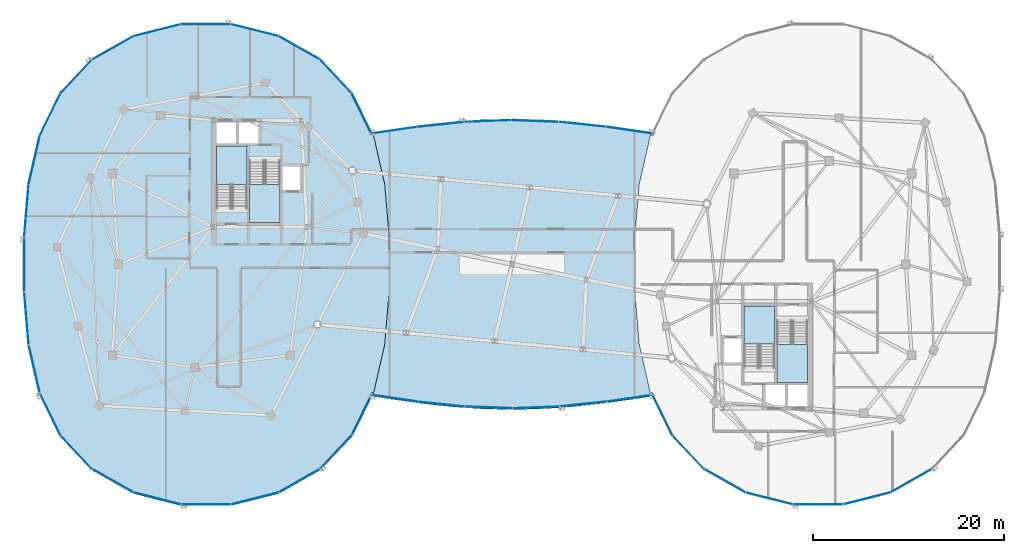
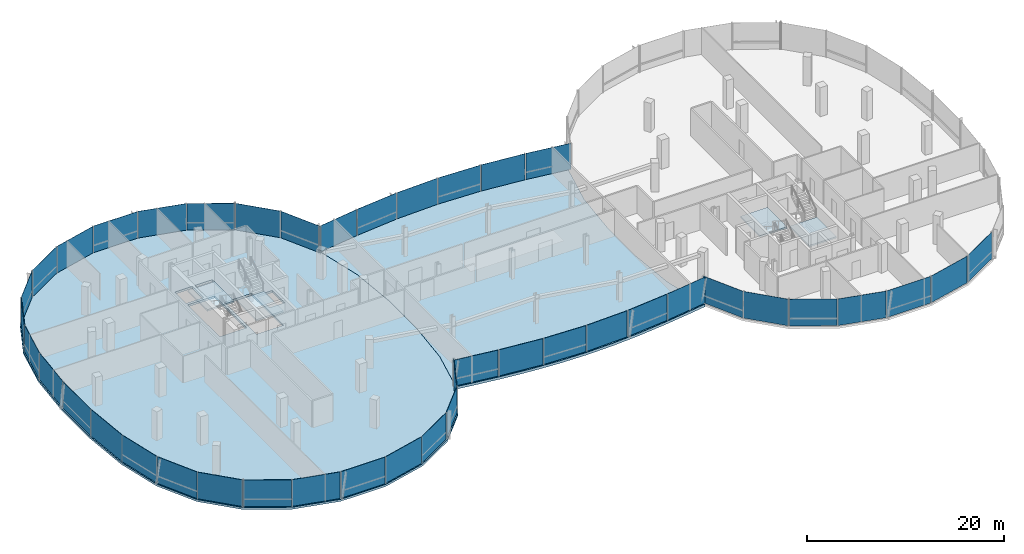
# One storey, part 12 of 25: 42 plates, 6 slabs, 11 elements without a shape of their own.
"""IFC4 building model written with IfcOpenShell, lengths in metres."""

from ifc_helpers import new_model, si_unit, direction, frame, origin, origin_2d, place, context, subcontext, project, spatial, polyline, rectangle, outline, extrude, material, layer, layer_set, type_object, element, aggregate, save


model = new_model("IFC4")

# Units and contexts
model_context = context("Model", 3, precision=1e-05, world=origin(), true_north=direction((0.0, 1.0)))
body_context = subcontext(model_context, "Body", "Model", "MODEL_VIEW")
ifc_project = project(units=[si_unit("LENGTHUNIT", "METRE"), si_unit("AREAUNIT", "SQUARE_METRE"), si_unit("VOLUMEUNIT", "CUBIC_METRE"), si_unit("PLANEANGLEUNIT", "RADIAN"), si_unit("MASSUNIT", "GRAM", prefix="KILO"), si_unit("THERMODYNAMICTEMPERATUREUNIT", "KELVIN"), si_unit("POWERUNIT", "WATT")], contexts=[model_context])

# Site, building, storey
site_placement = place(None, origin())
site = spatial("IfcSite", under=ifc_project, at=site_placement, CompositionType="ELEMENT")
building_placement = place(site_placement, origin())
building = spatial("IfcBuilding", under=site, at=building_placement, Name="Cundina Bronze Exchange", CompositionType="ELEMENT")
storey_placement = place(building_placement, frame((0.0, 0.0, 239.60009765625)))
storey = spatial("IfcBuildingStorey", under=building, at=storey_placement, Name="L63", CompositionType="ELEMENT", Elevation=239.60009765625)

# Curtain wall, plates
ifc_material_1 = material(Name="Anodised Bronze Aluminium 6063-T6", Category="aluminium")
curtain_wall_type = type_object("IfcCurtainWallType", Name="CWS-SKG-BRG", PredefinedType="NOTDEFINED", material=ifc_material_1)
curtain_wall_1_placement = place(storey_placement, origin())
curtain_wall_1 = element("IfcCurtainWall", 1, at=curtain_wall_1_placement, inside=storey, type_object=curtain_wall_type, Name="L63 CW-06 Curtain Wall Run CWR-L63-W1", PredefinedType="NOTDEFINED")
ifc_material_2 = material(Name="Heat-Strengthened Solar-Control Bronze Safety Glass 28mm", Category="glass")
ifc_layer_1 = layer(ifc_material_2, 0.028076171875, Name="Heat-Strengthened Solar-Control Bronze Safety Glass 28mm", Category="glass")
ifc_layer_set_1 = layer_set([ifc_layer_1], Name="Heat-Strengthened Solar-Control Bronze Safety Glass 28mm")
plate_type_1 = type_object("IfcPlateType", Name="PLT-GLZ-VIS28", PredefinedType="CURTAIN_PANEL", material=ifc_layer_set_1)
plate_1_placement = place(storey_placement, frame((-15.69873046875, 15.68017578125, 0.02001953125), z_axis=(0.0, 0.0, 1.0), x_axis=(-0.440503330345, 0.897750976582, 0.0)))
plate_1 = element("IfcPlate", 2, at=plate_1_placement, type_object=plate_type_1, Name="CW-06 Glazed Panel 1", PredefinedType="CURTAIN_PANEL", context=body_context, shape_type="SweptSolid", body=[
    extrude(rectangle(XDim=4.863525390625, YDim=0.028076171875, at=origin_2d()), origin(), (0.0, 0.0, 1.0), 3.300048828125),
])
plate_2_placement = place(storey_placement, frame((-22.23828125, 22.6279296875, 0.02001953125), z_axis=(0.0, 0.0, 1.0), x_axis=(-0.869572506985, 0.493805280547, 0.0)))
plate_2 = element("IfcPlate", 3, at=plate_2_placement, type_object=plate_type_1, Name="CW-06 Glazed Panel 3", PredefinedType="CURTAIN_PANEL", context=body_context, shape_type="SweptSolid", body=[
    extrude(rectangle(XDim=4.907958984375, YDim=0.028076171875, at=origin_2d()), origin(), (0.0, 0.0, 1.0), 3.300048828125),
])
plate_3_placement = place(storey_placement, frame((-26.890625, 24.4814453125, 0.02001953125), z_axis=(0.0, 0.0, 1.0), x_axis=(-0.969731542251, 0.244173577528, 0.0)))
plate_3 = element("IfcPlate", 4, at=plate_3_placement, type_object=plate_type_1, Name="CW-06 Glazed Panel 4", PredefinedType="CURTAIN_PANEL", context=body_context, shape_type="SweptSolid", body=[
    extrude(rectangle(XDim=5.0908203125, YDim=0.028076171875, at=origin_2d()), origin(), (0.0, 0.0, 1.0), 3.300048828125),
])
plate_4_placement = place(storey_placement, frame((-32.0, 25.110107421875, 0.02001953125), z_axis=(0.0, 0.0, 1.0), x_axis=(-1.0, 0.0, 0.0)))
plate_4 = element("IfcPlate", 5, at=plate_4_placement, type_object=plate_type_1, Name="CW-06 Glazed Panel 5", PredefinedType="CURTAIN_PANEL", context=body_context, shape_type="SweptSolid", body=[
    extrude(rectangle(XDim=5.16796875, YDim=0.028076171875, at=origin_2d()), origin(), (0.0, 0.0, 1.0), 3.300048828125),
])
plate_5_placement = place(storey_placement, frame((-37.109375, 24.4814453125, 0.02001953125), z_axis=(0.0, 0.0, 1.0), x_axis=(-0.969731542251, -0.244173577528, 0.0)))
plate_5 = element("IfcPlate", 6, at=plate_5_placement, type_object=plate_type_1, Name="CW-06 Glazed Panel 6", PredefinedType="CURTAIN_PANEL", context=body_context, shape_type="SweptSolid", body=[
    extrude(rectangle(XDim=5.0908203125, YDim=0.028076171875, at=origin_2d()), origin(), (0.0, 0.0, 1.0), 3.300048828125),
])

curtain_wall_2_placement = place(storey_placement, origin())
curtain_wall_2 = element("IfcCurtainWall", 7, at=curtain_wall_2_placement, inside=storey, type_object=curtain_wall_type, Name="L63 CW-06 Curtain Wall Run CWR-L63-W2", PredefinedType="NOTDEFINED")
plate_6_placement = place(storey_placement, frame((-48.30126953125, 15.68017578125, 0.02001953125), z_axis=(0.0, 0.0, 1.0), x_axis=(-0.440503330345, -0.897750976582, 0.0)))
plate_6 = element("IfcPlate", 8, at=plate_6_placement, type_object=plate_type_1, Name="CW-06 Glazed Panel 2", PredefinedType="CURTAIN_PANEL", context=body_context, shape_type="SweptSolid", body=[
    extrude(rectangle(XDim=4.863525390625, YDim=0.028076171875, at=origin_2d()), origin(), (0.0, 0.0, 1.0), 3.300048828125),
])
plate_7_placement = place(storey_placement, frame((-49.96923828125, 10.922607421875, 0.02001953125), z_axis=(0.0, 0.0, 1.0), x_axis=(-0.223284141459, -0.974753400698, 0.0)))
plate_7 = element("IfcPlate", 9, at=plate_7_placement, type_object=plate_type_1, Name="CW-06 Glazed Panel 3", PredefinedType="CURTAIN_PANEL", context=body_context, shape_type="SweptSolid", body=[
    extrude(rectangle(XDim=5.167724609375, YDim=0.028076171875, at=origin_2d()), origin(), (0.0, 0.0, 1.0), 3.300048828125),
])
plate_8_placement = place(storey_placement, frame((-50.78662109375, 5.605712890625, 0.02001953125), z_axis=(0.0, 0.0, 1.0), x_axis=(-0.083747411454, -0.996487015006, 0.0)))
plate_8 = element("IfcPlate", 10, at=plate_8_placement, type_object=plate_type_1, Name="CW-06 Glazed Panel 4", PredefinedType="CURTAIN_PANEL", context=body_context, shape_type="SweptSolid", body=[
    extrude(rectangle(XDim=5.474609375, YDim=0.028076171875, at=origin_2d()), origin(), (0.0, 0.0, 1.0), 3.300048828125),
])
plate_9_placement = place(storey_placement, frame((-51.01904296875, 0.0, 0.02001953125), z_axis=(0.0, 0.0, 1.0), x_axis=(0.0, -1.0, 0.0)))
plate_9 = element("IfcPlate", 11, at=plate_9_placement, type_object=plate_type_1, Name="CW-06 Glazed Panel 5", PredefinedType="CURTAIN_PANEL", context=body_context, shape_type="SweptSolid", body=[
    extrude(rectangle(XDim=5.597900390625, YDim=0.028076171875, at=origin_2d()), origin(), (0.0, 0.0, 1.0), 3.300048828125),
])
plate_10_placement = place(storey_placement, frame((-49.96923828125, -10.922607421875, 0.02001953125), z_axis=(0.0, 0.0, 1.0), x_axis=(0.223284141459, -0.974753400698, 0.0)))
plate_10 = element("IfcPlate", 12, at=plate_10_placement, type_object=plate_type_1, Name="CW-06 Glazed Panel 7", PredefinedType="CURTAIN_PANEL", context=body_context, shape_type="SweptSolid", body=[
    extrude(rectangle(XDim=5.167724609375, YDim=0.028076171875, at=origin_2d()), origin(), (0.0, 0.0, 1.0), 3.300048828125),
])

curtain_wall_3_placement = place(storey_placement, origin())
curtain_wall_3 = element("IfcCurtainWall", 13, at=curtain_wall_3_placement, inside=storey, type_object=curtain_wall_type, Name="L63 CW-06 Curtain Wall Run CWR-L63-W3", PredefinedType="NOTDEFINED")
plate_11_placement = place(storey_placement, frame((-48.30126953125, -15.68017578125, 0.02001953125), z_axis=(0.0, 0.0, 1.0), x_axis=(0.440503330345, -0.897750976582, 0.0)))
plate_11 = element("IfcPlate", 14, at=plate_11_placement, type_object=plate_type_1, Name="CW-06 Glazed Panel 1", PredefinedType="CURTAIN_PANEL", context=body_context, shape_type="SweptSolid", body=[
    extrude(rectangle(XDim=4.863525390625, YDim=0.028076171875, at=origin_2d()), origin(), (0.0, 0.0, 1.0), 3.300048828125),
])
plate_12_placement = place(storey_placement, frame((-45.568115234375, -19.64501953125, 0.02001953125), z_axis=(0.0, 0.0, 1.0), x_axis=(0.684343512797, -0.72915976061, 0.0)))
plate_12 = element("IfcPlate", 15, at=plate_12_placement, type_object=plate_type_1, Name="CW-06 Glazed Panel 2", PredefinedType="CURTAIN_PANEL", context=body_context, shape_type="SweptSolid", body=[
    extrude(rectangle(XDim=4.773193359375, YDim=0.028076171875, at=origin_2d()), origin(), (0.0, 0.0, 1.0), 3.300048828125),
])
plate_13_placement = place(storey_placement, frame((-41.76171875, -22.6279296875, 0.02001953125), z_axis=(0.0, 0.0, 1.0), x_axis=(0.869572506985, -0.493805280547, 0.0)))
plate_13 = element("IfcPlate", 16, at=plate_13_placement, type_object=plate_type_1, Name="CW-06 Glazed Panel 3", PredefinedType="CURTAIN_PANEL", context=body_context, shape_type="SweptSolid", body=[
    extrude(rectangle(XDim=4.907958984375, YDim=0.028076171875, at=origin_2d()), origin(), (0.0, 0.0, 1.0), 3.300048828125),
])
plate_14_placement = place(storey_placement, frame((-37.109375, -24.4814453125, 0.02001953125), z_axis=(0.0, 0.0, 1.0), x_axis=(0.969731542251, -0.244173577528, 0.0)))
plate_14 = element("IfcPlate", 17, at=plate_14_placement, type_object=plate_type_1, Name="CW-06 Glazed Panel 4", PredefinedType="CURTAIN_PANEL", context=body_context, shape_type="SweptSolid", body=[
    extrude(rectangle(XDim=5.0908203125, YDim=0.028076171875, at=origin_2d()), origin(), (0.0, 0.0, 1.0), 3.300048828125),
])
plate_15_placement = place(storey_placement, frame((-26.890625, -24.4814453125, 0.02001953125), z_axis=(0.0, 0.0, 1.0), x_axis=(0.969731542251, 0.244173577528, 0.0)))
plate_15 = element("IfcPlate", 18, at=plate_15_placement, type_object=plate_type_1, Name="CW-06 Glazed Panel 6", PredefinedType="CURTAIN_PANEL", context=body_context, shape_type="SweptSolid", body=[
    extrude(rectangle(XDim=5.0908203125, YDim=0.028076171875, at=origin_2d()), origin(), (0.0, 0.0, 1.0), 3.300048828125),
])
plate_16_placement = place(storey_placement, frame((-22.23828125, -22.6279296875, 0.02001953125), z_axis=(0.0, 0.0, 1.0), x_axis=(0.869572506985, 0.493805280547, 0.0)))
plate_16 = element("IfcPlate", 19, at=plate_16_placement, type_object=plate_type_1, Name="CW-06 Glazed Panel 7", PredefinedType="CURTAIN_PANEL", context=body_context, shape_type="SweptSolid", body=[
    extrude(rectangle(XDim=4.907958984375, YDim=0.028076171875, at=origin_2d()), origin(), (0.0, 0.0, 1.0), 3.300048828125),
])

curtain_wall_4_placement = place(storey_placement, origin())
curtain_wall_4 = element("IfcCurtainWall", 20, at=curtain_wall_4_placement, inside=storey, type_object=curtain_wall_type, Name="L63 CW-06 Curtain Wall Run CWR-L63-W4", PredefinedType="NOTDEFINED")
plate_17_placement = place(storey_placement, frame((-18.431884765625, -19.64501953125, 0.02001953125), z_axis=(0.0, 0.0, 1.0), x_axis=(0.684343512797, 0.72915976061, 0.0)))
plate_17 = element("IfcPlate", 21, at=plate_17_placement, type_object=plate_type_1, Name="CW-06 Glazed Panel 1", PredefinedType="CURTAIN_PANEL", context=body_context, shape_type="SweptSolid", body=[
    extrude(rectangle(XDim=4.773193359375, YDim=0.028076171875, at=origin_2d()), origin(), (0.0, 0.0, 1.0), 3.300048828125),
])
plate_18_placement = place(storey_placement, frame((-15.69873046875, -15.68017578125, 0.02001953125), z_axis=(0.0, 0.0, 1.0), x_axis=(0.440503330345, 0.897750976582, 0.0)))
plate_18 = element("IfcPlate", 22, at=plate_18_placement, type_object=plate_type_1, Name="CW-06 Glazed Panel 2", PredefinedType="CURTAIN_PANEL", context=body_context, shape_type="SweptSolid", body=[
    extrude(rectangle(XDim=4.863525390625, YDim=0.028076171875, at=origin_2d()), origin(), (0.0, 0.0, 1.0), 3.300048828125),
])
aggregate(curtain_wall_4, [plate_17, plate_18])

curtain_wall_5_placement = place(storey_placement, origin())
curtain_wall_5 = element("IfcCurtainWall", 23, at=curtain_wall_5_placement, inside=storey, type_object=curtain_wall_type, Name="L63 CW-06 Curtain Wall Run CWR-L63-E3", PredefinedType="NOTDEFINED")
plate_19_placement = place(storey_placement, frame((15.69873046875, -15.68017578125, 0.02001953125), z_axis=(0.0, 0.0, 1.0), x_axis=(0.440503330345, -0.897750976582, 0.0)))
plate_19 = element("IfcPlate", 24, at=plate_19_placement, type_object=plate_type_1, Name="CW-06 Glazed Panel 1", PredefinedType="CURTAIN_PANEL", context=body_context, shape_type="SweptSolid", body=[
    extrude(rectangle(XDim=4.863525390625, YDim=0.028076171875, at=origin_2d()), origin(), (0.0, 0.0, 1.0), 3.300048828125),
])
plate_20_placement = place(storey_placement, frame((18.431884765625, -19.64501953125, 0.02001953125), z_axis=(0.0, 0.0, 1.0), x_axis=(0.684343512797, -0.72915976061, 0.0)))
plate_20 = element("IfcPlate", 25, at=plate_20_placement, type_object=plate_type_1, Name="CW-06 Glazed Panel 2", PredefinedType="CURTAIN_PANEL", context=body_context, shape_type="SweptSolid", body=[
    extrude(rectangle(XDim=4.773193359375, YDim=0.028076171875, at=origin_2d()), origin(), (0.0, 0.0, 1.0), 3.300048828125),
])
plate_21_placement = place(storey_placement, frame((22.23828125, -22.6279296875, 0.02001953125), z_axis=(0.0, 0.0, 1.0), x_axis=(0.869572506985, -0.493805280547, 0.0)))
plate_21 = element("IfcPlate", 26, at=plate_21_placement, type_object=plate_type_1, Name="CW-06 Glazed Panel 3", PredefinedType="CURTAIN_PANEL", context=body_context, shape_type="SweptSolid", body=[
    extrude(rectangle(XDim=4.907958984375, YDim=0.028076171875, at=origin_2d()), origin(), (0.0, 0.0, 1.0), 3.300048828125),
])
plate_22_placement = place(storey_placement, frame((26.890625, -24.4814453125, 0.02001953125), z_axis=(0.0, 0.0, 1.0), x_axis=(0.969731542251, -0.244173577528, 0.0)))
plate_22 = element("IfcPlate", 27, at=plate_22_placement, type_object=plate_type_1, Name="CW-06 Glazed Panel 4", PredefinedType="CURTAIN_PANEL", context=body_context, shape_type="SweptSolid", body=[
    extrude(rectangle(XDim=5.0908203125, YDim=0.028076171875, at=origin_2d()), origin(), (0.0, 0.0, 1.0), 3.300048828125),
])
plate_23_placement = place(storey_placement, frame((37.109375, -24.4814453125, 0.02001953125), z_axis=(0.0, 0.0, 1.0), x_axis=(0.969731542251, 0.244173577528, 0.0)))
plate_23 = element("IfcPlate", 28, at=plate_23_placement, type_object=plate_type_1, Name="CW-06 Glazed Panel 6", PredefinedType="CURTAIN_PANEL", context=body_context, shape_type="SweptSolid", body=[
    extrude(rectangle(XDim=5.0908203125, YDim=0.028076171875, at=origin_2d()), origin(), (0.0, 0.0, 1.0), 3.300048828125),
])
plate_24_placement = place(storey_placement, frame((41.76171875, -22.6279296875, 0.02001953125), z_axis=(0.0, 0.0, 1.0), x_axis=(0.869572506985, 0.493805280547, 0.0)))
plate_24 = element("IfcPlate", 29, at=plate_24_placement, type_object=plate_type_1, Name="CW-06 Glazed Panel 7", PredefinedType="CURTAIN_PANEL", context=body_context, shape_type="SweptSolid", body=[
    extrude(rectangle(XDim=4.907958984375, YDim=0.028076171875, at=origin_2d()), origin(), (0.0, 0.0, 1.0), 3.300048828125),
])

curtain_wall_6_placement = place(storey_placement, origin())
curtain_wall_6 = element("IfcCurtainWall", 30, at=curtain_wall_6_placement, inside=storey, type_object=curtain_wall_type, Name="L63 CW-06 Curtain Wall Run CWR-L63-BRGS", PredefinedType="NOTDEFINED")
plate_25_placement = place(storey_placement, frame((-12.356201171875, -14.012451171875, 0.02001953125), z_axis=(0.0, 0.0, 1.0), x_axis=(0.989528308409, -0.144338930496, 0.0)))
plate_25 = element("IfcPlate", 31, at=plate_25_placement, type_object=plate_type_1, Name="CW-06 Glazed Panel 1", PredefinedType="CURTAIN_PANEL", context=body_context, shape_type="SweptSolid", body=[
    extrude(rectangle(XDim=4.912353515625, YDim=0.028076171875, at=origin_2d()), origin(), (0.0, 0.0, 1.0), 3.239990234375),
])
plate_26_placement = place(storey_placement, frame((-7.41162109375, -14.629150390625, 0.02001953125), z_axis=(0.0, 0.0, 1.0), x_axis=(0.994672274174, -0.103087666525, 0.0)))
plate_26 = element("IfcPlate", 32, at=plate_26_placement, type_object=plate_type_1, Name="CW-06 Glazed Panel 2", PredefinedType="CURTAIN_PANEL", context=body_context, shape_type="SweptSolid", body=[
    extrude(rectangle(XDim=4.886474609375, YDim=0.028076171875, at=origin_2d()), origin(), (0.0, 0.0, 1.0), 3.239990234375),
])
plate_27_placement = place(storey_placement, frame((2.47021484375, -14.9775390625, 0.02001953125), z_axis=(0.0, 0.0, 1.0), x_axis=(0.999302568116, 0.037341362551, 0.0)))
plate_27 = element("IfcPlate", 33, at=plate_27_placement, type_object=plate_type_1, Name="CW-06 Glazed Panel 4", PredefinedType="CURTAIN_PANEL", context=body_context, shape_type="SweptSolid", body=[
    extrude(rectangle(XDim=4.863525390625, YDim=0.028076171875, at=origin_2d()), origin(), (0.0, 0.0, 1.0), 3.239990234375),
])
plate_28_placement = place(storey_placement, frame((7.41162109375, -14.629150390625, 0.02001953125), z_axis=(0.0, 0.0, 1.0), x_axis=(0.994672274174, 0.103087666525, 0.0)))
plate_28 = element("IfcPlate", 34, at=plate_28_placement, type_object=plate_type_1, Name="CW-06 Glazed Panel 5", PredefinedType="CURTAIN_PANEL", context=body_context, shape_type="SweptSolid", body=[
    extrude(rectangle(XDim=4.886474609375, YDim=0.028076171875, at=origin_2d()), origin(), (0.0, 0.0, 1.0), 3.239990234375),
])
plate_29_placement = place(storey_placement, frame((12.356201171875, -14.012451171875, 0.02001953125), z_axis=(0.0, 0.0, 1.0), x_axis=(0.989528308409, 0.144338930496, 0.0)))
plate_29 = element("IfcPlate", 35, at=plate_29_placement, type_object=plate_type_1, Name="CW-06 Glazed Panel 6", PredefinedType="CURTAIN_PANEL", context=body_context, shape_type="SweptSolid", body=[
    extrude(rectangle(XDim=4.912353515625, YDim=0.028076171875, at=origin_2d()), origin(), (0.0, 0.0, 1.0), 3.239990234375),
])

curtain_wall_7_placement = place(storey_placement, origin())
curtain_wall_7 = element("IfcCurtainWall", 36, at=curtain_wall_7_placement, inside=storey, type_object=curtain_wall_type, Name="L63 CW-06 Curtain Wall Run CWR-L63-BRGN", PredefinedType="NOTDEFINED")
plate_30_placement = place(storey_placement, frame((12.356201171875, 14.012451171875, 0.02001953125), z_axis=(0.0, 0.0, 1.0), x_axis=(-0.989528308409, 0.144338930496, 0.0)))
plate_30 = element("IfcPlate", 37, at=plate_30_placement, type_object=plate_type_1, Name="CW-06 Glazed Panel 1", PredefinedType="CURTAIN_PANEL", context=body_context, shape_type="SweptSolid", body=[
    extrude(rectangle(XDim=4.912353515625, YDim=0.028076171875, at=origin_2d()), origin(), (0.0, 0.0, 1.0), 3.239990234375),
])
plate_31_placement = place(storey_placement, frame((7.41162109375, 14.629150390625, 0.02001953125), z_axis=(0.0, 0.0, 1.0), x_axis=(-0.994672274174, 0.103087666525, 0.0)))
plate_31 = element("IfcPlate", 38, at=plate_31_placement, type_object=plate_type_1, Name="CW-06 Glazed Panel 2", PredefinedType="CURTAIN_PANEL", context=body_context, shape_type="SweptSolid", body=[
    extrude(rectangle(XDim=4.886474609375, YDim=0.028076171875, at=origin_2d()), origin(), (0.0, 0.0, 1.0), 3.239990234375),
])
plate_32_placement = place(storey_placement, frame((2.47021484375, 14.9775390625, 0.02001953125), z_axis=(0.0, 0.0, 1.0), x_axis=(-0.999302568116, 0.037341362551, 0.0)))
plate_32 = element("IfcPlate", 39, at=plate_32_placement, type_object=plate_type_1, Name="CW-06 Glazed Panel 3", PredefinedType="CURTAIN_PANEL", context=body_context, shape_type="SweptSolid", body=[
    extrude(rectangle(XDim=4.863525390625, YDim=0.028076171875, at=origin_2d()), origin(), (0.0, 0.0, 1.0), 3.239990234375),
])
plate_33_placement = place(storey_placement, frame((-2.47021484375, 14.9775390625, 0.02001953125), z_axis=(0.0, 0.0, 1.0), x_axis=(-0.999302568116, -0.037341362551, 0.0)))
plate_33 = element("IfcPlate", 40, at=plate_33_placement, type_object=plate_type_1, Name="CW-06 Glazed Panel 4", PredefinedType="CURTAIN_PANEL", context=body_context, shape_type="SweptSolid", body=[
    extrude(rectangle(XDim=4.863525390625, YDim=0.028076171875, at=origin_2d()), origin(), (0.0, 0.0, 1.0), 3.239990234375),
])
plate_34_placement = place(storey_placement, frame((-12.356201171875, 14.012451171875, 0.02001953125), z_axis=(0.0, 0.0, 1.0), x_axis=(-0.989528308409, -0.144338930496, 0.0)))
plate_34 = element("IfcPlate", 41, at=plate_34_placement, type_object=plate_type_1, Name="CW-06 Glazed Panel 6", PredefinedType="CURTAIN_PANEL", context=body_context, shape_type="SweptSolid", body=[
    extrude(rectangle(XDim=4.912353515625, YDim=0.028076171875, at=origin_2d()), origin(), (0.0, 0.0, 1.0), 3.239990234375),
])

# Plate
ifc_material_3 = material(Name="Dark Bronze Spandrel Glass Panel 32mm", Category="glass")
ifc_layer_2 = layer(ifc_material_3, 0.031982421875, Name="Dark Bronze Spandrel Glass Panel 32mm", Category="glass")
ifc_layer_set_2 = layer_set([ifc_layer_2], Name="Dark Bronze Spandrel Glass Panel 32mm")
plate_type_2 = type_object("IfcPlateType", Name="PLT-SPN-BRZ32", PredefinedType="CURTAIN_PANEL", material=ifc_layer_set_2)
plate_35_placement = place(storey_placement, frame((-18.431884765625, 19.64501953125, 0.02001953125), z_axis=(0.0, 0.0, 1.0), x_axis=(-0.684343512797, 0.72915976061, 0.0)))
plate_35 = element("IfcPlate", 42, at=plate_35_placement, type_object=plate_type_2, Name="CW-06 Glazed Panel 2", PredefinedType="CURTAIN_PANEL", context=body_context, shape_type="SweptSolid", body=[
    extrude(rectangle(XDim=4.773193359375, YDim=0.031982421875, at=origin_2d()), origin(), (0.0, 0.0, 1.0), 3.300048828125),
])

plate_36_placement = place(storey_placement, frame((-41.76171875, 22.6279296875, 0.02001953125), z_axis=(0.0, 0.0, 1.0), x_axis=(-0.869572506985, -0.493805280547, 0.0)))
plate_36 = element("IfcPlate", 43, at=plate_36_placement, type_object=plate_type_2, Name="CW-06 Glazed Panel 7", PredefinedType="CURTAIN_PANEL", context=body_context, shape_type="SweptSolid", body=[
    extrude(rectangle(XDim=4.907958984375, YDim=0.031982421875, at=origin_2d()), origin(), (0.0, 0.0, 1.0), 3.300048828125),
])

aggregate(curtain_wall_1, [plate_1, plate_35, plate_2, plate_3, plate_4, plate_5, plate_36])

plate_37_placement = place(storey_placement, frame((-45.568115234375, 19.64501953125, 0.02001953125), z_axis=(0.0, 0.0, 1.0), x_axis=(-0.684343512797, -0.72915976061, 0.0)))
plate_37 = element("IfcPlate", 44, at=plate_37_placement, type_object=plate_type_2, Name="CW-06 Glazed Panel 1", PredefinedType="CURTAIN_PANEL", context=body_context, shape_type="SweptSolid", body=[
    extrude(rectangle(XDim=4.773193359375, YDim=0.031982421875, at=origin_2d()), origin(), (0.0, 0.0, 1.0), 3.300048828125),
])

plate_38_placement = place(storey_placement, frame((-50.78662109375, -5.605712890625, 0.02001953125), z_axis=(0.0, 0.0, 1.0), x_axis=(0.083747411454, -0.996487015006, 0.0)))
plate_38 = element("IfcPlate", 45, at=plate_38_placement, type_object=plate_type_2, Name="CW-06 Glazed Panel 6", PredefinedType="CURTAIN_PANEL", context=body_context, shape_type="SweptSolid", body=[
    extrude(rectangle(XDim=5.474609375, YDim=0.031982421875, at=origin_2d()), origin(), (0.0, 0.0, 1.0), 3.300048828125),
])

aggregate(curtain_wall_2, [plate_37, plate_6, plate_7, plate_8, plate_9, plate_38, plate_10])

plate_39_placement = place(storey_placement, frame((-32.0, -25.110107421875, 0.02001953125), z_axis=(0.0, 0.0, 1.0), x_axis=(1.0, 0.0, 0.0)))
plate_39 = element("IfcPlate", 46, at=plate_39_placement, type_object=plate_type_2, Name="CW-06 Glazed Panel 5", PredefinedType="CURTAIN_PANEL", context=body_context, shape_type="SweptSolid", body=[
    extrude(rectangle(XDim=5.16796875, YDim=0.031982421875, at=origin_2d()), origin(), (0.0, 0.0, 1.0), 3.300048828125),
])

aggregate(curtain_wall_3, [plate_11, plate_12, plate_13, plate_14, plate_39, plate_15, plate_16])

plate_40_placement = place(storey_placement, frame((32.0, -25.110107421875, 0.02001953125), z_axis=(0.0, 0.0, 1.0), x_axis=(1.0, 0.0, 0.0)))
plate_40 = element("IfcPlate", 47, at=plate_40_placement, type_object=plate_type_2, Name="CW-06 Glazed Panel 5", PredefinedType="CURTAIN_PANEL", context=body_context, shape_type="SweptSolid", body=[
    extrude(rectangle(XDim=5.16796875, YDim=0.031982421875, at=origin_2d()), origin(), (0.0, 0.0, 1.0), 3.300048828125),
])

aggregate(curtain_wall_5, [plate_19, plate_20, plate_21, plate_22, plate_40, plate_23, plate_24])

plate_41_placement = place(storey_placement, frame((-2.47021484375, -14.9775390625, 0.02001953125), z_axis=(0.0, 0.0, 1.0), x_axis=(0.999302568116, -0.037341362551, 0.0)))
plate_41 = element("IfcPlate", 48, at=plate_41_placement, type_object=plate_type_2, Name="CW-06 Glazed Panel 3", PredefinedType="CURTAIN_PANEL", context=body_context, shape_type="SweptSolid", body=[
    extrude(rectangle(XDim=4.863525390625, YDim=0.031982421875, at=origin_2d()), origin(), (0.0, 0.0, 1.0), 3.239990234375),
])

aggregate(curtain_wall_6, [plate_25, plate_26, plate_41, plate_27, plate_28, plate_29])

plate_42_placement = place(storey_placement, frame((-7.41162109375, 14.629150390625, 0.02001953125), z_axis=(0.0, 0.0, 1.0), x_axis=(-0.994672274174, -0.103087666525, 0.0)))
plate_42 = element("IfcPlate", 49, at=plate_42_placement, type_object=plate_type_2, Name="CW-06 Glazed Panel 5", PredefinedType="CURTAIN_PANEL", context=body_context, shape_type="SweptSolid", body=[
    extrude(rectangle(XDim=4.886474609375, YDim=0.031982421875, at=origin_2d()), origin(), (0.0, 0.0, 1.0), 3.239990234375),
])

aggregate(curtain_wall_7, [plate_30, plate_31, plate_32, plate_33, plate_42, plate_34])

# Slab
ifc_material_4 = material(Name="Concrete C50/60", Category="concrete")
ifc_layer_3 = layer(ifc_material_4, 0.320068359375, Name="Concrete C50/60", Category="concrete")
ifc_layer_set_3 = layer_set([ifc_layer_3], Name="Concrete C50/60")
slab_type_1 = type_object("IfcSlabType", Name="SLB-BRG-320", PredefinedType="FLOOR", material=ifc_layer_set_3)
slab_1_placement = place(storey_placement, frame((0.0, 0.0, -0.320068359375)))
element("IfcSlab", 50, at=slab_1_placement, inside=storey, type_object=slab_type_1, Name="L63 Sky-Gate Bridge Deck Slab", PredefinedType="FLOOR", context=body_context, shape_type="SweptSolid", body=[
    extrude(outline(polyline([(12.800048828125, -14.093994140625), (9.60009765625, -14.5400390625), (6.39990234375, -14.89404296875), (3.199951171875, -15.1220703125), (0.0, -15.199951171875), (-3.199951171875, -15.1220703125), (-6.39990234375, -14.89404296875), (-9.60009765625, -14.5400390625), (-12.800048828125, -14.093994140625), (-14.634033203125, -13.81103515625), (-14.489013671875, -13.514892578125), (-14.489013671875, -13.514892578125), (-14.489013671875, -13.513916015625), (-13.31494140625, -8.388916015625), (-13.31494140625, -8.388916015625), (-12.84912109375, -2.843994140625), (-12.84912109375, -2.843994140625), (-12.84912109375, 2.843994140625), (-12.84912109375, 2.843994140625), (-13.31494140625, 8.388916015625), (-13.31494140625, 8.388916015625), (-14.489013671875, 13.513916015625), (-14.489013671875, 13.514892578125), (-14.489013671875, 13.514892578125), (-14.634033203125, 13.81103515625), (-12.800048828125, 14.093994140625), (-9.60009765625, 14.5400390625), (-6.39990234375, 14.89404296875), (-3.199951171875, 15.1220703125), (0.0, 15.199951171875), (3.199951171875, 15.1220703125), (6.39990234375, 14.89404296875), (9.60009765625, 14.5400390625), (12.800048828125, 14.093994140625), (14.634033203125, 13.81103515625), (14.489013671875, 13.514892578125), (14.489013671875, 13.514892578125), (14.489013671875, 13.513916015625), (13.31494140625, 8.388916015625), (13.31494140625, 8.388916015625), (12.84912109375, 2.843994140625), (12.84912109375, 2.843994140625), (12.84912109375, -2.843994140625), (12.84912109375, -2.843994140625), (13.31494140625, -8.388916015625), (13.31494140625, -8.388916015625), (14.489013671875, -13.513916015625), (14.489013671875, -13.514892578125), (14.489013671875, -13.514892578125), (14.634033203125, -13.81103515625), (12.800048828125, -14.093994140625)])), origin(), (0.0, 0.0, 1.0), 0.320068359375),
])

# Stair, slab
ifc_material_5 = material(Name="Concrete C40/50", Category="concrete")
stair_type = type_object("IfcStairType", Name="STR-OFF-360", PredefinedType="HALF_TURN_STAIR", material=ifc_material_5)
stair_1_placement = place(storey_placement, origin())
stair_1 = element("IfcStair", 51, at=stair_1_placement, inside=storey, type_object=stair_type, Name="L63 Smokeproof Exit Stair W1", PredefinedType="HALF_TURN_STAIR")
ifc_layer_4 = layer(ifc_material_5, 0.199951171875, Name="Concrete C40/50", Category="concrete")
ifc_layer_set_4 = layer_set([ifc_layer_4], Name="Concrete C40/50")
slab_type_2 = type_object("IfcSlabType", Name="SLB-LND-200", PredefinedType="LANDING", material=ifc_layer_set_4)
slab_2_placement = place(storey_placement, frame((0.0, 0.0, 1.599853515625)))
slab_2 = element("IfcSlab", 52, at=slab_2_placement, type_object=slab_type_2, Name="ST-W1 landing 1", PredefinedType="LANDING", context=body_context, shape_type="SweptSolid", body=[
    extrude(outline(polyline([(-27.739990234375, 8.3701171875), (-27.739990234375, 12.35009765625), (-30.89990234375, 12.35009765625), (-30.89990234375, 8.3701171875), (-27.739990234375, 8.3701171875)])), origin(), (0.0, 0.0, 1.0), 0.199951171875),
])
aggregate(stair_1, [slab_2])

stair_2_placement = place(storey_placement, origin())
stair_2 = element("IfcStair", 53, at=stair_2_placement, inside=storey, type_object=stair_type, Name="L63 Smokeproof Exit Stair W2", PredefinedType="HALF_TURN_STAIR")
slab_3_placement = place(storey_placement, frame((0.0, 0.0, 1.599853515625)))
slab_3 = element("IfcSlab", 54, at=slab_3_placement, type_object=slab_type_2, Name="ST-W2 landing 1", PredefinedType="LANDING", context=body_context, shape_type="SweptSolid", body=[
    extrude(outline(polyline([(-27.43994140625, 8.330078125), (-27.43994140625, 4.35009765625), (-24.280029296875, 4.35009765625), (-24.280029296875, 8.330078125), (-27.43994140625, 8.330078125)])), origin(), (0.0, 0.0, 1.0), 0.199951171875),
])
aggregate(stair_2, [slab_3])

stair_3_placement = place(storey_placement, origin())
stair_3 = element("IfcStair", 55, at=stair_3_placement, inside=storey, type_object=stair_type, Name="L63 Smokeproof Exit Stair E1", PredefinedType="HALF_TURN_STAIR")
slab_4_placement = place(storey_placement, frame((0.0, 0.0, 1.599853515625)))
slab_4 = element("IfcSlab", 56, at=slab_4_placement, type_object=slab_type_2, Name="ST-E1 landing 1", PredefinedType="LANDING", context=body_context, shape_type="SweptSolid", body=[
    extrude(outline(polyline([(27.739990234375, -8.3701171875), (27.739990234375, -12.35009765625), (30.89990234375, -12.35009765625), (30.89990234375, -8.3701171875), (27.739990234375, -8.3701171875)])), origin(), (0.0, 0.0, 1.0), 0.199951171875),
])
aggregate(stair_3, [slab_4])

stair_4_placement = place(storey_placement, origin())
stair_4 = element("IfcStair", 57, at=stair_4_placement, inside=storey, type_object=stair_type, Name="L63 Smokeproof Exit Stair E2", PredefinedType="HALF_TURN_STAIR")
slab_5_placement = place(storey_placement, frame((0.0, 0.0, 1.599853515625)))
slab_5 = element("IfcSlab", 58, at=slab_5_placement, type_object=slab_type_2, Name="ST-E2 landing 1", PredefinedType="LANDING", context=body_context, shape_type="SweptSolid", body=[
    extrude(outline(polyline([(27.43994140625, -8.330078125), (27.43994140625, -4.35009765625), (24.280029296875, -4.35009765625), (24.280029296875, -8.330078125), (27.43994140625, -8.330078125)])), origin(), (0.0, 0.0, 1.0), 0.199951171875),
])
aggregate(stair_4, [slab_5])

# Slab
ifc_layer_5 = layer(ifc_material_4, 0.260009765625, Name="Concrete C50/60", Category="concrete")
ifc_layer_set_5 = layer_set([ifc_layer_5], Name="Concrete C50/60")
slab_type_3 = type_object("IfcSlabType", Name="SLB-OFF-260", PredefinedType="FLOOR", material=ifc_layer_set_5)
slab_6_placement = place(storey_placement, frame((0.0, 0.0, -0.260009765625)))
element("IfcSlab", 59, at=slab_6_placement, inside=storey, type_object=slab_type_3, Name="L63 Leg W Structural Floor Slab", PredefinedType="FLOOR", context=body_context, shape_type="SweptSolid", body=[
    extrude(outline(polyline([(-12.85107421875, 2.843994140625), (-13.31689453125, 8.388916015625), (-14.490966796875, 13.513916015625), (-16.673095703125, 17.9609375), (-20.0009765625, 21.507080078125), (-24.346923828125, 23.97509765625), (-29.37109375, 25.239990234375), (-34.62890625, 25.239990234375), (-39.653076171875, 23.97509765625), (-43.9990234375, 21.507080078125), (-47.326904296875, 17.9609375), (-49.509033203125, 13.513916015625), (-50.68310546875, 8.388916015625), (-51.14892578125, 2.843994140625), (-51.14892578125, -2.843994140625), (-50.68310546875, -8.388916015625), (-49.509033203125, -13.513916015625), (-47.326904296875, -17.9609375), (-43.9990234375, -21.507080078125), (-39.653076171875, -23.97509765625), (-34.62890625, -25.239990234375), (-29.37109375, -25.239990234375), (-24.346923828125, -23.97509765625), (-20.0009765625, -21.507080078125), (-16.673095703125, -17.9609375), (-14.490966796875, -13.513916015625), (-13.31689453125, -8.388916015625), (-12.85107421875, -2.843994140625), (-12.85107421875, 2.843994140625)]), holes=[polyline([(-27.739990234375, 5.85009765625), (-27.739990234375, 12.35009765625), (-30.89990234375, 12.35009765625), (-30.89990234375, 5.85009765625), (-27.739990234375, 5.85009765625)]), polyline([(-27.43994140625, 10.85009765625), (-27.43994140625, 4.35009765625), (-24.280029296875, 4.35009765625), (-24.280029296875, 10.85009765625), (-27.43994140625, 10.85009765625)]), polyline([(-23.97998046875, 10.25), (-22.179931640625, 10.25), (-22.179931640625, 7.75), (-23.97998046875, 7.75), (-23.97998046875, 10.25)]), polyline([(-30.89990234375, 14.949951171875), (-28.85009765625, 14.949951171875), (-28.85009765625, 12.64990234375), (-30.89990234375, 12.64990234375), (-30.89990234375, 14.949951171875)]), polyline([(-28.550048828125, 14.949951171875), (-26.5, 14.949951171875), (-26.5, 12.64990234375), (-28.550048828125, 12.64990234375), (-28.550048828125, 14.949951171875)])]), origin(), (0.0, 0.0, 1.0), 0.260009765625),
])

save(model, "model.ifc")
